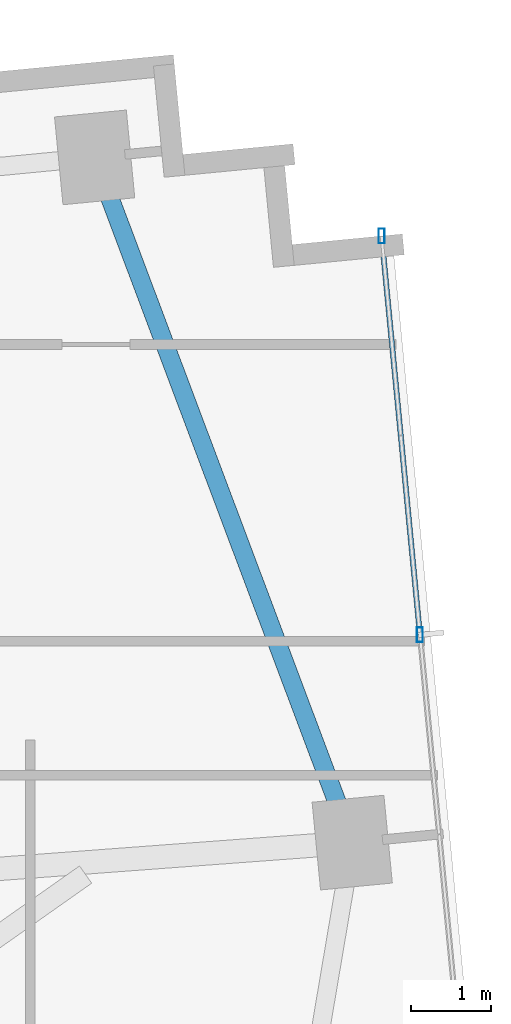
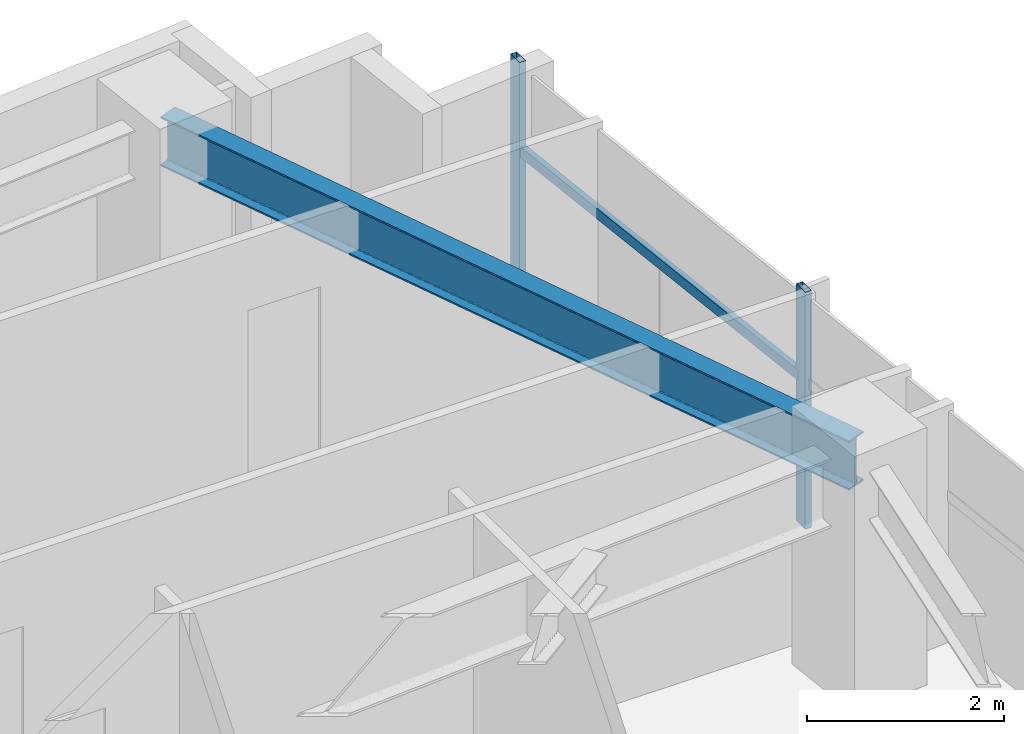
# One storey, part 19 of 27: 3 members, 1 beam, 1 element without a shape of its own.
"""IFC4 building model written with IfcOpenShell, lengths in metres."""

from ifc_helpers import new_model, si_unit, direction, frame, origin, origin_2d, place, context, subcontext, project, spatial, hollow_rectangle, i_section, extrude, source, transform, mapped, material, material_profile, profile_set, type_object, type_shapes, element, aggregate, save


model = new_model("IFC4")

# Units and contexts
model_context = context("Model", 3, precision=1e-05, world=origin(), true_north=direction((0.0, 1.0)))
body_context = subcontext(model_context, "Body", "Model", "MODEL_VIEW")
ifc_project = project(units=[si_unit("LENGTHUNIT", "METRE"), si_unit("AREAUNIT", "SQUARE_METRE"), si_unit("VOLUMEUNIT", "CUBIC_METRE"), si_unit("PLANEANGLEUNIT", "RADIAN"), si_unit("MASSUNIT", "GRAM", prefix="KILO")], contexts=[model_context])

# Site, building, storey
site_placement = place(None, origin())
site = spatial("IfcSite", under=ifc_project, at=site_placement, CompositionType="ELEMENT")
building_placement = place(site_placement, origin())
building = spatial("IfcBuilding", under=site, at=building_placement, Name="Astriad Promenade Condominiums", CompositionType="ELEMENT")
storey_placement = place(building_placement, frame((0.0, 0.0, 87.39990234375)))
storey = spatial("IfcBuildingStorey", under=building, at=storey_placement, Name="L24", CompositionType="ELEMENT", Elevation=87.39990234375)

# Beam
ifc_material_1 = material(Name="Steel ASTM A992 Grade 50", Category="steel")
ifc_material_profile_1 = material_profile(ifc_material_1, i_section(OverallWidth=0.22900390625, OverallDepth=0.612060546875, WebThickness=0.011962890625, FlangeThickness=0.01953125, FilletRadius=0.017822265625, at=origin_2d()), Name="W24X84")
ifc_profile_set_1 = profile_set([ifc_material_profile_1], Name="Steel ASTM A992 Grade 50")
beam_type = type_object("IfcBeamType", Name="STEEL SPANDREL BEAM W24X84", PredefinedType="SPANDREL", material=ifc_profile_set_1)
shared_shape_1 = source(origin(), body_context, "Body", "SweptSolid", [
    extrude(i_section(OverallWidth=0.22900390625, OverallDepth=0.612060546875, WebThickness=0.011962890625, FlangeThickness=0.01953125, FilletRadius=0.017822265625, at=origin_2d()), origin(), (0.0, 0.0, 1.0), 9.0556640625),
])
type_shapes(beam_type, [shared_shape_1])
beam_placement = place(storey_placement, frame((67.63427734375, 19.07666015625, 2.634033203125), z_axis=(-0.351856057459, 0.936054119605, 0.0), x_axis=(-0.936054119605, -0.351856057459, 0.0)))
element("IfcBeam", 1, at=beam_placement, inside=storey, type_object=beam_type, Name="Perimeter Spandrel Beam SP-E2-L24", PredefinedType="SPANDREL", context=body_context, shape_type="MappedRepresentation", body=[
    mapped(shared_shape_1, transform((0.0, 0.0, 0.0), scale=1.0)),
])

# Curtain wall, members
ifc_material_2 = material(Name="Anodised aluminium Black Dark Glass Unitised", Category="aluminium")
curtain_wall_type = type_object("IfcCurtainWallType", Name="CW-B2-DARK", PredefinedType="USERDEFINED", material=ifc_material_2)
curtain_wall_placement = place(storey_placement, origin())
curtain_wall = element("IfcCurtainWall", 2, at=curtain_wall_placement, inside=storey, type_object=curtain_wall_type, Name="CW-L24-E", ObjectType="UNITISED_CURTAIN_WALL", PredefinedType="USERDEFINED")
ifc_material_3 = material(Name="Anodised aluminium 6063-T6 Black", Category="aluminium")
ifc_material_profile_2 = material_profile(ifc_material_3, hollow_rectangle(XDim=0.074951171875, YDim=0.18505859375, WallThickness=0.00439453125, at=origin_2d()), Name="ALU-MUL-75X185")
ifc_profile_set_2 = profile_set([ifc_material_profile_2], Name="Anodised aluminium 6063-T6 Black")
member_type_1 = type_object("IfcMemberType", Name="MUL-ALU-MUL-75X185", PredefinedType="MULLION", material=ifc_profile_set_2)
shared_shape_2 = source(origin(), body_context, "Body", "SweptSolid", [
    extrude(hollow_rectangle(XDim=0.074951171875, YDim=0.18505859375, WallThickness=0.00439453125, at=origin_2d()), origin(), (0.0, 0.0, 1.0), 2.940185546875),
])
type_shapes(member_type_1, [shared_shape_2])
member_1_placement = place(storey_placement, frame((68.0146484375, 26.609130859375, 0.0), z_axis=(0.0, 0.0, 1.0), x_axis=(1.0, 0.0, 0.0)))
member_1 = element("IfcMember", 3, at=member_1_placement, type_object=member_type_1, Name="CW-L24-E-MUL-00", PredefinedType="MULLION", context=body_context, shape_type="MappedRepresentation", body=[
    mapped(shared_shape_2, transform((0.0, 0.0, 0.0), scale=1.0)),
])
member_2_placement = place(storey_placement, frame((68.493896484375, 21.632080078125, 0.0), z_axis=(0.0, 0.0, 1.0), x_axis=(1.0, 0.0, 0.0)))
member_2 = element("IfcMember", 4, at=member_2_placement, type_object=member_type_1, Name="CW-L24-E-MUL-01", PredefinedType="MULLION", context=body_context, shape_type="MappedRepresentation", body=[
    mapped(shared_shape_2, transform((0.0, 0.0, 0.0), scale=1.0)),
])
ifc_material_profile_3 = material_profile(ifc_material_3, hollow_rectangle(XDim=0.06494140625, YDim=0.1298828125, WallThickness=0.00390625, at=origin_2d()), Name="ALU-TRN-65X130")
ifc_profile_set_3 = profile_set([ifc_material_profile_3], Name="Anodised aluminium 6063-T6 Black")
member_type_2 = type_object("IfcMemberType", Name="TRN-ALU-TRN-65X130", PredefinedType="USERDEFINED", material=ifc_profile_set_3)
shared_shape_3 = source(origin(), body_context, "Body", "SweptSolid", [
    extrude(hollow_rectangle(XDim=0.06494140625, YDim=0.1298828125, WallThickness=0.00390625, at=origin_2d()), origin(), (0.0, 0.0, 1.0), 5.0),
])
type_shapes(member_type_2, [shared_shape_3])
member_3_placement = place(storey_placement, frame((68.0146484375, 26.609130859375, 1.822998046875), z_axis=(0.095848242264, -0.995395958629, 0.0), x_axis=(0.995395958629, 0.095848242264, 0.0)))
member_3 = element("IfcMember", 5, at=member_3_placement, type_object=member_type_2, Name="CW-L24-E-TRN-00-0", ObjectType="TRANSOM", PredefinedType="USERDEFINED", context=body_context, shape_type="MappedRepresentation", body=[
    mapped(shared_shape_3, transform((0.0, 0.0, 0.0), scale=1.0)),
])
aggregate(curtain_wall, [member_1, member_2, member_3])

save(model, "model.ifc")
